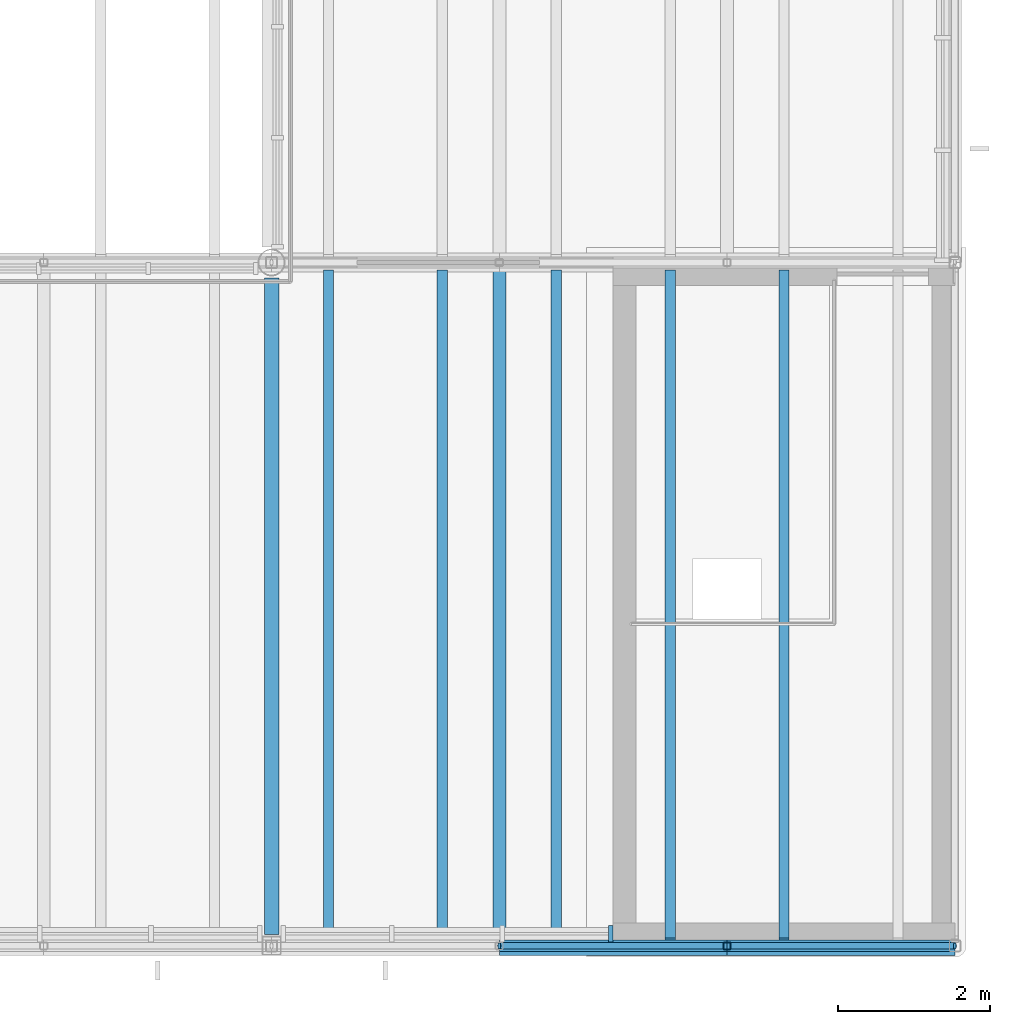
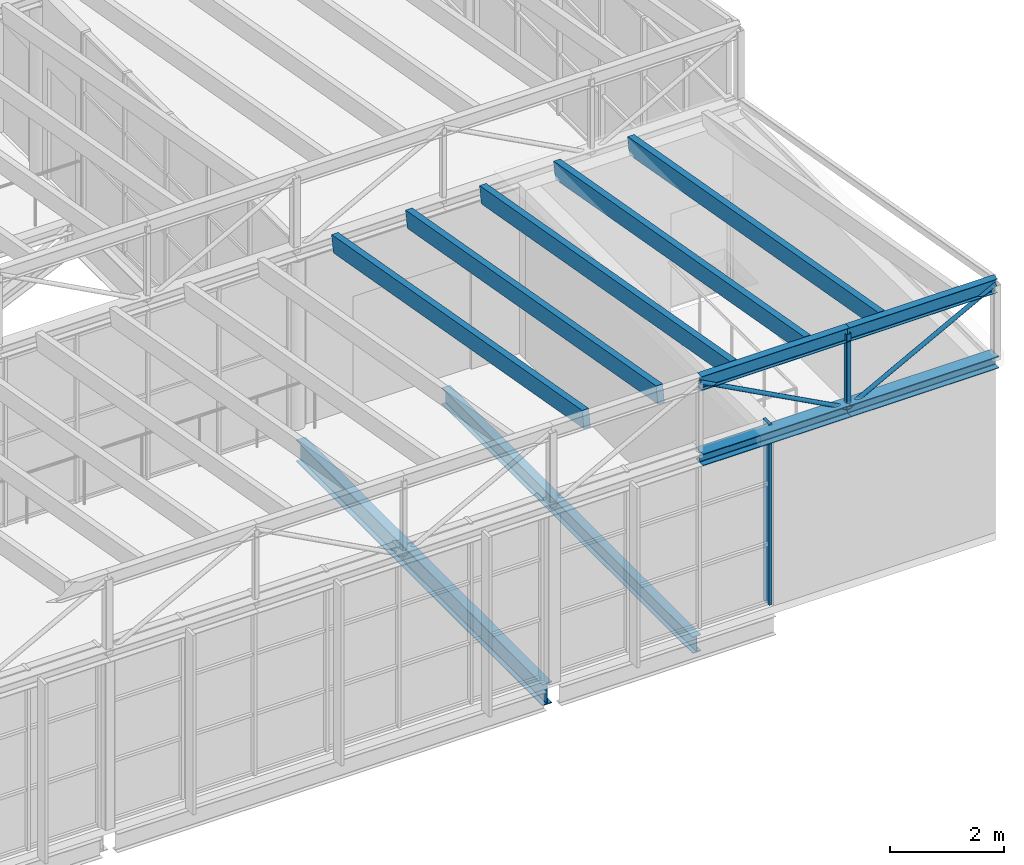
# One storey, part 18 of 44: 13 members, 2 beams, 1 element without a shape of its own.
"""IFC4 building model written with IfcOpenShell, lengths in metres."""

from ifc_helpers import new_model, si_unit, direction, frame, origin, origin_2d, place, context, subcontext, project, spatial, rectangle, hollow_rectangle, hollow_circle, i_section, extrude, material, layer, layer_set, material_profile, profile_set, type_object, element, aggregate, save


model = new_model("IFC4")

# Units and contexts
model_context = context("Model", 3, precision=1e-05, world=origin(), true_north=direction((0.0, 1.0)))
body_context = subcontext(model_context, "Body", "Model", "MODEL_VIEW")
ifc_project = project(units=[si_unit("LENGTHUNIT", "METRE"), si_unit("AREAUNIT", "SQUARE_METRE"), si_unit("VOLUMEUNIT", "CUBIC_METRE"), si_unit("PLANEANGLEUNIT", "RADIAN"), si_unit("MASSUNIT", "GRAM", prefix="KILO")], contexts=[model_context])

# Site, building, storey
site_placement = place(None, origin())
site = spatial("IfcSite", under=ifc_project, at=site_placement, CompositionType="ELEMENT")
building_placement = place(site_placement, origin())
building = spatial("IfcBuilding", under=site, at=building_placement, Name="Halyard Row Museum", CompositionType="ELEMENT")
storey_placement = place(building_placement, frame((0.0, 0.0, 21.199951171875)))
storey = spatial("IfcBuildingStorey", under=building, at=storey_placement, Name="L04", CompositionType="ELEMENT", Elevation=21.199951171875)

# Curtain wall, member
ifc_material_1 = material(Name="Double glazed unit, low-emissivity", Category="glass")
ifc_layer = layer(ifc_material_1, 0.219970703125)
ifc_layer_set = layer_set([ifc_layer], Name="Double glazed unit, low-emissivity")
curtain_wall_type = type_object("IfcCurtainWallType", Name="Curtain wall unitised 220 deep", PredefinedType="NOTDEFINED", material=ifc_layer_set)
curtain_wall_placement = place(storey_placement, origin())
curtain_wall = element("IfcCurtainWall", 1, at=curtain_wall_placement, inside=storey, type_object=curtain_wall_type, Name="Curtain wall CW058", PredefinedType="NOTDEFINED")
ifc_material_2 = material(Name="Powder-coated aluminium section", Category="aluminium")
ifc_material_profile_1 = material_profile(ifc_material_2, rectangle(XDim=0.219970703125, YDim=0.06005859375, at=origin_2d()), Name="220x60 mullion")
ifc_profile_set_1 = profile_set([ifc_material_profile_1], Name="Powder-coated aluminium section")
member_type_1 = type_object("IfcMemberType", Name="Curtain wall mullion CM3 60 x 220", PredefinedType="MULLION", material=ifc_profile_set_1)
member_1_placement = place(storey_placement, frame((103.469970703125, 0.159912109375, 0.0), z_axis=(0.0, 0.0, 1.0), x_axis=(0.0, 1.0, 0.0)))
member_1 = element("IfcMember", 2, at=member_1_placement, type_object=member_type_1, Name="CW058 mullion 4", PredefinedType="MULLION", context=body_context, shape_type="SweptSolid", body=[
    extrude(rectangle(XDim=0.219970703125, YDim=0.06005859375, at=origin_2d()), origin(), (0.0, 0.0, 1.0), 3.878173828125),
])
aggregate(curtain_wall, [member_1])

# Beam
ifc_material_3 = material(Name="Steel Grade 300", Category="steel")
ifc_material_profile_2 = material_profile(ifc_material_3, i_section(OverallWidth=0.19091796875, OverallDepth=0.46044921875, WebThickness=0.010009765625, FlangeThickness=0.01611328125, FilletRadius=0.011474609375, at=origin_2d()), Name="460UB82.1")
ifc_profile_set_2 = profile_set([ifc_material_profile_2], Name="Steel Grade 300")
beam_type_1 = type_object("IfcBeamType", Name="Girder beam 460UB82.1", PredefinedType="BEAM", material=ifc_profile_set_2)
beam_1_placement = place(storey_placement, frame((99.0, 0.14990234375, -0.395263671875), z_axis=(0.0, 1.0, 0.0), x_axis=(-1.0, 0.0, 0.0)))
element("IfcBeam", 3, at=beam_1_placement, inside=storey, type_object=beam_type_1, Name="Beam L04-027", PredefinedType="BEAM", context=body_context, shape_type="SweptSolid", body=[
    extrude(i_section(OverallWidth=0.19091796875, OverallDepth=0.46044921875, WebThickness=0.010009765625, FlangeThickness=0.01611328125, FilletRadius=0.011474609375, at=origin_2d()), origin(), (0.0, 0.0, 1.0), 8.64697265625),
])

# Members
ifc_material_4 = material(Name="Glulam GL12 radiata pine", Category="wood")
ifc_material_profile_3 = material_profile(ifc_material_4, rectangle(XDim=0.135009765625, YDim=0.360107421875, at=origin_2d()), Name="GL12 135x360")
ifc_profile_set_3 = profile_set([ifc_material_profile_3], Name="Glulam GL12 radiata pine")
member_type_2 = type_object("IfcMemberType", Name="Rafter GL12 135x360", PredefinedType="RAFTER", material=ifc_profile_set_3)
for number, where, z_axis, x_axis, name in (
    (4, (99.75, 0.074462890625, 5.283935546875), (0.0, 0.984562193919, -0.175035100209), (-1.0, 0.0, 0.0), "Rafter V2-T1a.19"),
    (5, (101.25, 0.074462890625, 5.283935546875), (0.0, 0.984562193919, -0.175035100209), (-1.0, 0.0, 0.0), "Rafter V2-T1a.20"),
    (6, (102.75, 0.074462890625, 5.283935546875), (0.0, 0.984562193919, -0.175035100209), (-1.0, 0.0, 0.0), "Rafter V2-T1a.21"),
    (7, (104.25, 0.074462890625, 5.283935546875), (0.0, 0.984562193919, -0.175035100209), (-1.0, 0.0, 0.0), "Rafter V2-T1a.22"),
    (8, (105.75, 0.074462890625, 5.283935546875), (0.0, 0.984562193919, -0.175035100209), (-1.0, 0.0, 0.0), "Rafter V2-T1a.23"),
):
    element("IfcMember", number, at=place(storey_placement, frame(where, z_axis=z_axis, x_axis=x_axis)), inside=storey, type_object=member_type_2, Name=name, PredefinedType="RAFTER", context=body_context, shape_type="SweptSolid", body=[
        extrude(rectangle(XDim=0.135009765625, YDim=0.360107421875, at=origin_2d()), origin(), (0.0, 0.0, 1.0), 8.9365234375),
    ])

# Beam
ifc_material_5 = material(Name="Steel Grade 300", Category="steel")
ifc_material_profile_4 = material_profile(ifc_material_5, i_section(OverallWidth=0.1708984375, OverallDepth=0.355712890625, WebThickness=0.00732421875, FlangeThickness=0.011474609375, FilletRadius=0.011474609375, at=origin_2d()), Name="360UB50.7")
ifc_profile_set_4 = profile_set([ifc_material_profile_4], Name="Steel Grade 300")
beam_type_2 = type_object("IfcBeamType", Name="Secondary beam 360UB50.7", PredefinedType="BEAM", material=ifc_profile_set_4)
beam_2_placement = place(storey_placement, frame((102.0, 0.089111328125, -0.3427734375), z_axis=(0.0, 1.0, 0.0), x_axis=(-1.0, 0.0, 0.0)))
element("IfcBeam", 9, at=beam_2_placement, inside=storey, type_object=beam_type_2, Name="Beam L04-038", PredefinedType="BEAM", context=body_context, shape_type="SweptSolid", body=[
    extrude(i_section(OverallWidth=0.1708984375, OverallDepth=0.355712890625, WebThickness=0.00732421875, FlangeThickness=0.011474609375, FilletRadius=0.011474609375, at=origin_2d()), origin(), (0.0, 0.0, 1.0), 8.8154296875),
])

# Members
ifc_material_6 = material(Name="Steel Grade 300", Category="steel")
ifc_material_profile_5 = material_profile(ifc_material_6, i_section(OverallWidth=0.25390625, OverallDepth=0.25390625, WebThickness=0.008544921875, FlangeThickness=0.01416015625, FilletRadius=0.013916015625, at=origin_2d()), Name="250UC72.9")
ifc_profile_set_5 = profile_set([ifc_material_profile_5], Name="Steel Grade 300")
member_type_3 = type_object("IfcMemberType", Name="Valley truss bottom chord 250UC72.9", PredefinedType="CHORD", material=ifc_profile_set_5)
for number, where, z_axis, x_axis, name in (
    (10, (102.0, 0.0, 3.72705078125), (1.0, 0.0, 0.0), (0.0, 1.0, 0.0), "V2-VT1 bottom chord 4.2"),
    (11, (105.0, 0.0, 3.72705078125), (1.0, 0.0, 0.0), (0.0, 1.0, 0.0), "V2-VT1 bottom chord 4.3"),
):
    element("IfcMember", number, at=place(storey_placement, frame(where, z_axis=z_axis, x_axis=x_axis)), inside=storey, type_object=member_type_3, Name=name, PredefinedType="CHORD", context=body_context, shape_type="SweptSolid", body=[
        extrude(i_section(OverallWidth=0.25390625, OverallDepth=0.25390625, WebThickness=0.008544921875, FlangeThickness=0.01416015625, FilletRadius=0.013916015625, at=origin_2d()), origin(), (0.0, 0.0, 1.0), 3.0),
    ])
ifc_material_7 = material(Name="Steel Grade C250L0", Category="steel")
ifc_material_profile_6 = material_profile(ifc_material_7, hollow_circle(Radius=0.04443359375, WallThickness=0.0048828125, at=origin_2d()), Name="88.9x5.0CHS")
ifc_profile_set_6 = profile_set([ifc_material_profile_6], Name="Steel Grade C250L0")
member_type_4 = type_object("IfcMemberType", Name="Valley truss diagonal 88.9x5.0CHS", PredefinedType="BRACE", material=ifc_profile_set_6)
for number, where, z_axis, x_axis, name in (
    (12, (102.0, 0.0, 5.3310546875), (0.881863759518, 0.0, -0.471504305016), (0.0, 1.0, 0.0), "V2-VT1 diagonal 4.2"),
    (13, (105.0, 0.0, 3.72705078125), (0.881863759518, 0.0, 0.471504305016), (0.0, 1.0, 0.0), "V2-VT1 diagonal 4.3"),
):
    element("IfcMember", number, at=place(storey_placement, frame(where, z_axis=z_axis, x_axis=x_axis)), inside=storey, type_object=member_type_4, Name=name, PredefinedType="BRACE", context=body_context, shape_type="SweptSolid", body=[
        extrude(hollow_circle(Radius=0.04443359375, WallThickness=0.0048828125, at=origin_2d()), origin(), (0.0, 0.0, 1.0), 3.40185546875),
    ])
ifc_material_8 = material(Name="Steel Grade C350L0", Category="steel")
ifc_material_profile_7 = material_profile(ifc_material_8, hollow_rectangle(XDim=0.10009765625, YDim=0.10009765625, WallThickness=0.006103515625, InnerFilletRadius=0.009033203125, OuterFilletRadius=0.014892578125, at=origin_2d()), Name="100x100x6.0SHS")
ifc_profile_set_7 = profile_set([ifc_material_profile_7], Name="Steel Grade C350L0")
member_type_5 = type_object("IfcMemberType", Name="Valley truss post 100x100x6.0SHS", PredefinedType="POST", material=ifc_profile_set_7)
member_2_placement = place(storey_placement, frame((105.0, 0.0, 3.72705078125), z_axis=(0.0, 0.0, 1.0), x_axis=(1.0, 0.0, 0.0)))
element("IfcMember", 14, at=member_2_placement, inside=storey, type_object=member_type_5, Name="V2-VT1 post 4.2", PredefinedType="POST", context=body_context, shape_type="SweptSolid", body=[
    extrude(hollow_rectangle(XDim=0.10009765625, YDim=0.10009765625, WallThickness=0.006103515625, InnerFilletRadius=0.009033203125, OuterFilletRadius=0.014892578125, at=origin_2d()), origin(), (0.0, 0.0, 1.0), 1.60400390625),
])
ifc_material_9 = material(Name="Steel Grade 300", Category="steel")
ifc_material_profile_8 = material_profile(ifc_material_9, i_section(OverallWidth=0.14892578125, OverallDepth=0.298095703125, WebThickness=0.005615234375, FlangeThickness=0.008056640625, FilletRadius=0.012939453125, at=origin_2d()), Name="310UB32.0")
ifc_profile_set_8 = profile_set([ifc_material_profile_8], Name="Steel Grade 300")
member_type_6 = type_object("IfcMemberType", Name="Valley truss top chord 310UB32.0", PredefinedType="CHORD", material=ifc_profile_set_8)
for number, where, z_axis, x_axis, name in (
    (15, (102.0, 0.0, 5.3310546875), (1.0, 0.0, 0.0), (0.0, 1.0, 0.0), "V2-VT1 top chord 4.2"),
    (16, (105.0, 0.0, 5.3310546875), (1.0, 0.0, 0.0), (0.0, 1.0, 0.0), "V2-VT1 top chord 4.3"),
):
    element("IfcMember", number, at=place(storey_placement, frame(where, z_axis=z_axis, x_axis=x_axis)), inside=storey, type_object=member_type_6, Name=name, PredefinedType="CHORD", context=body_context, shape_type="SweptSolid", body=[
        extrude(i_section(OverallWidth=0.14892578125, OverallDepth=0.298095703125, WebThickness=0.005615234375, FlangeThickness=0.008056640625, FilletRadius=0.012939453125, at=origin_2d()), origin(), (0.0, 0.0, 1.0), 3.0),
    ])

save(model, "model.ifc")
